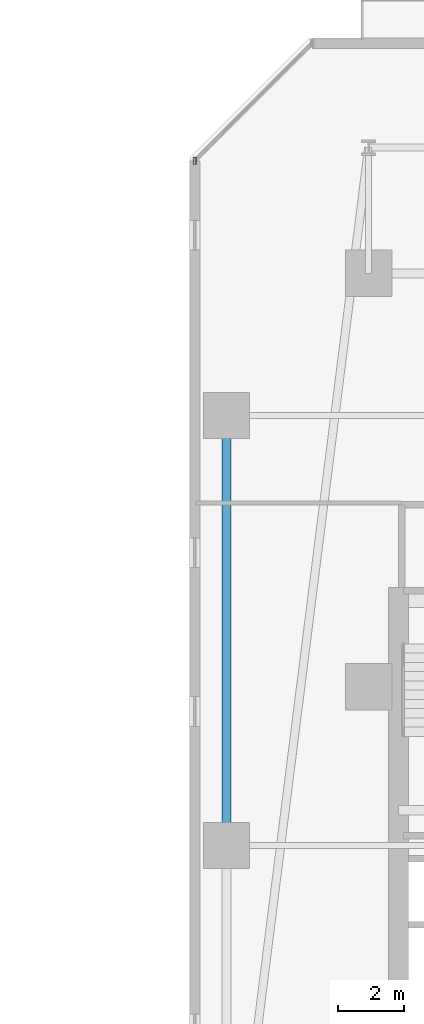
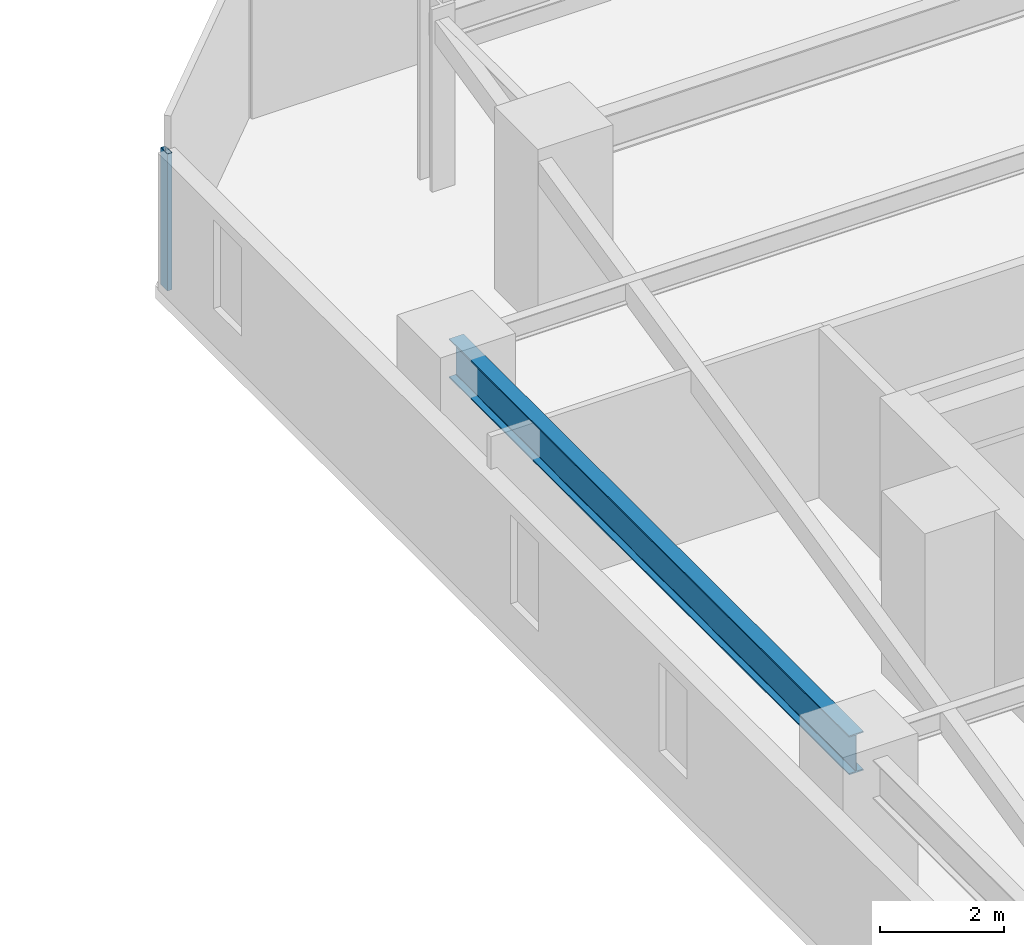
# One storey, part 11 of 34: 1 beam, 1 member, 1 element without a shape of its own.
"""IFC4 building model written with IfcOpenShell, lengths in metres."""

from ifc_helpers import new_model, si_unit, direction, frame, origin, origin_2d, place, context, subcontext, project, spatial, hollow_rectangle, i_section, extrude, material, material_profile, profile_set, type_object, element, aggregate, save


model = new_model("IFC4")

# Units and contexts
model_context = context("Model", 3, precision=1e-05, world=origin(), true_north=direction((0.0, 1.0)))
body_context = subcontext(model_context, "Body", "Model", "MODEL_VIEW")
ifc_project = project(units=[si_unit("LENGTHUNIT", "METRE"), si_unit("AREAUNIT", "SQUARE_METRE"), si_unit("VOLUMEUNIT", "CUBIC_METRE"), si_unit("PLANEANGLEUNIT", "RADIAN"), si_unit("MASSUNIT", "GRAM", prefix="KILO")], contexts=[model_context])

# Site, building, storey
site_placement = place(None, origin())
site = spatial("IfcSite", under=ifc_project, at=site_placement, CompositionType="ELEMENT")
building_placement = place(site_placement, origin())
building = spatial("IfcBuilding", under=site, at=building_placement, Name="Thornwick Lancets Civic Towers", CompositionType="ELEMENT")
storey_placement = place(building_placement, frame((0.0, 0.0, 57.300048828125)))
storey = spatial("IfcBuildingStorey", under=building, at=storey_placement, Name="L14", CompositionType="ELEMENT", Elevation=57.300048828125)

# Beam
ifc_material_1 = material(Name="Steel S355JR", Category="steel")
ifc_material_profile_1 = material_profile(ifc_material_1, i_section(OverallWidth=0.26806640625, OverallDepth=0.769775390625, WebThickness=0.015625, FlangeThickness=0.025390625, FilletRadius=0.0166015625, at=origin_2d()), Name="UKB 762x267x197")
ifc_profile_set_1 = profile_set([ifc_material_profile_1], Name="Steel S355JR")
beam_type = type_object("IfcBeamType", Name="BM_GIRD_762_197", PredefinedType="BEAM", material=ifc_profile_set_1)
beam_placement = place(storey_placement, frame((71.199951171875, 27.080078125, 2.97509765625), z_axis=(0.0, 1.0, 0.0), x_axis=(-1.0, 0.0, 0.0)))
element("IfcBeam", 1, at=beam_placement, inside=storey, type_object=beam_type, Name="BM-SPINE-L14-B-7-8", PredefinedType="BEAM", context=body_context, shape_type="SweptSolid", body=[
    extrude(i_section(OverallWidth=0.26806640625, OverallDepth=0.769775390625, WebThickness=0.015625, FlangeThickness=0.025390625, FilletRadius=0.0166015625, at=origin_2d()), origin(), (0.0, 0.0, 1.0), 12.919921875),
])

# Curtain wall, member
ifc_material_2 = material(Name="Low-zone chamfered-corner unitised glass curtain wall", Category="glass")
curtain_wall_type = type_object("IfcCurtainWallType", Name="CW_SYS_03", PredefinedType="NOTDEFINED", material=ifc_material_2)
curtain_wall_placement = place(storey_placement, origin())
curtain_wall = element("IfcCurtainWall", 2, at=curtain_wall_placement, inside=storey, type_object=curtain_wall_type, Name="L14 Curtain Wall CW-L14-B-E5", PredefinedType="NOTDEFINED")
ifc_material_3 = material(Name="Thermally broken bronze aluminium S355", Category="steel")
ifc_material_profile_2 = material_profile(ifc_material_3, hollow_rectangle(XDim=0.090087890625, YDim=0.219970703125, WallThickness=0.00634765625, at=origin_2d()), Name="RHS 220x90x6.3")
ifc_profile_set_2 = profile_set([ifc_material_profile_2], Name="Thermally broken bronze aluminium S355")
member_type = type_object("IfcMemberType", Name="CW_MUL_220", PredefinedType="MULLION", material=ifc_profile_set_2)
member_placement = place(storey_placement, frame((70.23828125, 47.702880859375, 0.0), z_axis=(0.0, 0.0, 1.0), x_axis=(1.0, 0.0, 0.0)))
member = element("IfcMember", 3, at=member_placement, type_object=member_type, Name="CW-L14-B-E5 Mullion 1", PredefinedType="MULLION", context=body_context, shape_type="SweptSolid", body=[
    extrude(hollow_rectangle(XDim=0.090087890625, YDim=0.219970703125, WallThickness=0.00634765625, at=origin_2d()), origin(), (0.0, 0.0, 1.0), 2.699951171875),
])
aggregate(curtain_wall, [member])

save(model, "model.ifc")
